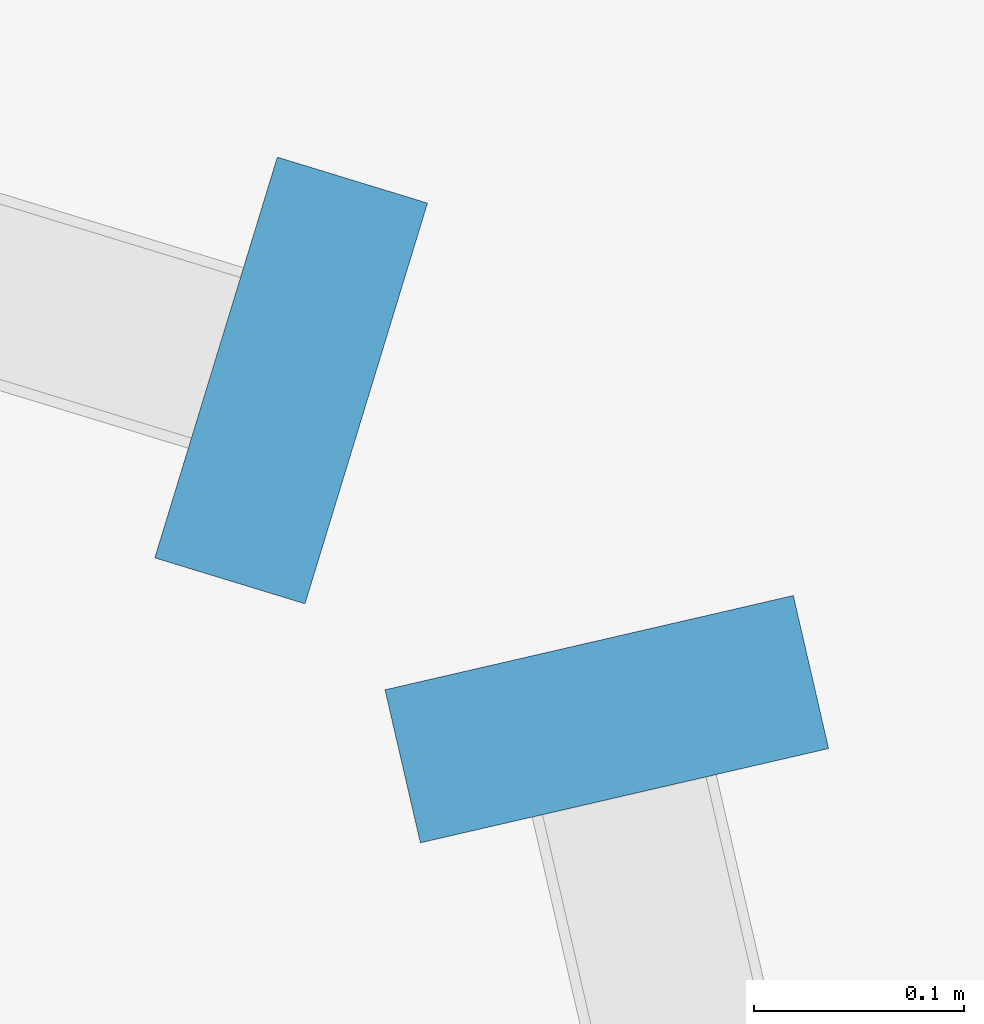
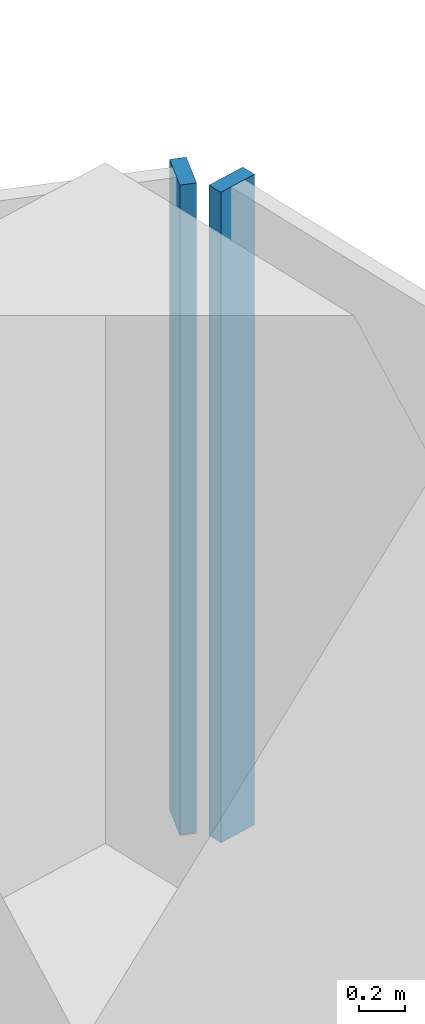
# One storey, part 10 of 24: 2 members, 2 elements without a shape of their own.
"""IFC4 building model written with IfcOpenShell, lengths in metres."""

from ifc_helpers import new_model, si_unit, direction, frame, origin, origin_2d, place, context, subcontext, project, spatial, rectangle, extrude, source, transform, mapped, material, material_profile, profile_set, type_object, element, aggregate, save


model = new_model("IFC4")

# Units and contexts
model_context = context("Model", 3, precision=1e-05, world=origin(), true_north=direction((0.0, 1.0)))
body_context = subcontext(model_context, "Body", "Model", "MODEL_VIEW")
ifc_project = project(units=[si_unit("LENGTHUNIT", "METRE"), si_unit("AREAUNIT", "SQUARE_METRE"), si_unit("VOLUMEUNIT", "CUBIC_METRE"), si_unit("PLANEANGLEUNIT", "RADIAN"), si_unit("MASSUNIT", "GRAM", prefix="KILO")], contexts=[model_context])

# Site, building, storey
site_placement = place(None, origin())
site = spatial("IfcSite", under=ifc_project, at=site_placement, CompositionType="ELEMENT")
building_placement = place(site_placement, origin())
building = spatial("IfcBuilding", under=site, at=building_placement, Name="Triune Harvest Tower", CompositionType="ELEMENT")
storey_placement = place(building_placement, frame((0.0, 0.0, 127.10009765625)))
storey = spatial("IfcBuildingStorey", under=building, at=storey_placement, Name="L32", CompositionType="ELEMENT", Elevation=127.10009765625)

# Curtain wall, member
ifc_material_1 = material(Name="Aluminium bronze anodised", Category="aluminium")
curtain_wall_type_1 = type_object("IfcCurtainWallType", Name="CW-7 Tower stick curtain wall with insulated spandrel infill", PredefinedType="NOTDEFINED", material=ifc_material_1)
curtain_wall_1_placement = place(storey_placement, origin())
curtain_wall_1 = element("IfcCurtainWall", 1, at=curtain_wall_1_placement, inside=storey, type_object=curtain_wall_type_1, Name="CW-7 B3-F2 L32 run 1")
ifc_material_2 = material(Name="Aluminium bronze anodised", Category="aluminium")
ifc_material_profile_1 = material_profile(ifc_material_2, rectangle(XDim=0.199951171875, YDim=0.074951171875, at=origin_2d()), Name="MU-1 mullion 75 x 200")
ifc_profile_set_1 = profile_set([ifc_material_profile_1], Name="Aluminium bronze anodised")
member_type_1 = type_object("IfcMemberType", Name="MU-1 mullion 75 x 200", PredefinedType="MULLION", material=ifc_profile_set_1)
shared_shape_1 = source(origin(), body_context, "Body", "SweptSolid", [
    extrude(rectangle(XDim=0.199951171875, YDim=0.074951171875, at=origin_2d()), origin(), (0.0, 0.0, 1.0), 3.43994140625),
])
member_1_placement = place(storey_placement, frame((15.462158203125, 30.4423828125, 0.0), z_axis=(0.0, 0.0, 1.0), x_axis=(-0.292376962095, -0.956303148607, 0.0)))
member_1 = element("IfcMember", 2, at=member_1_placement, type_object=member_type_1, Name="CW-7 mullion B3-F2 1.1", PredefinedType="MULLION", context=body_context, shape_type="MappedRepresentation", body=[
    mapped(shared_shape_1, transform((0.0, 0.0, 0.0), scale=1.0)),
])
aggregate(curtain_wall_1, [member_1])

ifc_material_3 = material(Name="Aluminium bronze anodised", Category="aluminium")
curtain_wall_type_2 = type_object("IfcCurtainWallType", Name="CW-10 Balcony window wall with insulated spandrel infill", PredefinedType="NOTDEFINED", material=ifc_material_3)
curtain_wall_2_placement = place(storey_placement, origin())
curtain_wall_2 = element("IfcCurtainWall", 3, at=curtain_wall_2_placement, inside=storey, type_object=curtain_wall_type_2, Name="CW-10 B3-F1 L32 run 4002")
ifc_material_4 = material(Name="Aluminium bronze anodised", Category="aluminium")
ifc_material_profile_2 = material_profile(ifc_material_4, rectangle(XDim=0.199951171875, YDim=0.074951171875, at=origin_2d()), Name="MU-6 mullion 75 x 200")
ifc_profile_set_2 = profile_set([ifc_material_profile_2], Name="Aluminium bronze anodised")
member_type_2 = type_object("IfcMemberType", Name="MU-6 mullion 75 x 200", PredefinedType="MULLION", material=ifc_profile_set_2)
shared_shape_2 = source(origin(), body_context, "Body", "SweptSolid", [
    extrude(rectangle(XDim=0.199951171875, YDim=0.074951171875, at=origin_2d()), origin(), (0.0, 0.0, 1.0), 3.43994140625),
])
member_2_placement = place(storey_placement, frame((15.61279296875, 30.28076171875, 0.0), z_axis=(0.0, 0.0, 1.0), x_axis=(-0.974369091581, -0.224955269713, 0.0)))
member_2 = element("IfcMember", 4, at=member_2_placement, type_object=member_type_2, Name="CW-10 mullion B3-F1 4002.3", PredefinedType="MULLION", context=body_context, shape_type="MappedRepresentation", body=[
    mapped(shared_shape_2, transform((0.0, 0.0, 0.0), scale=1.0)),
])
aggregate(curtain_wall_2, [member_2])

save(model, "model.ifc")
